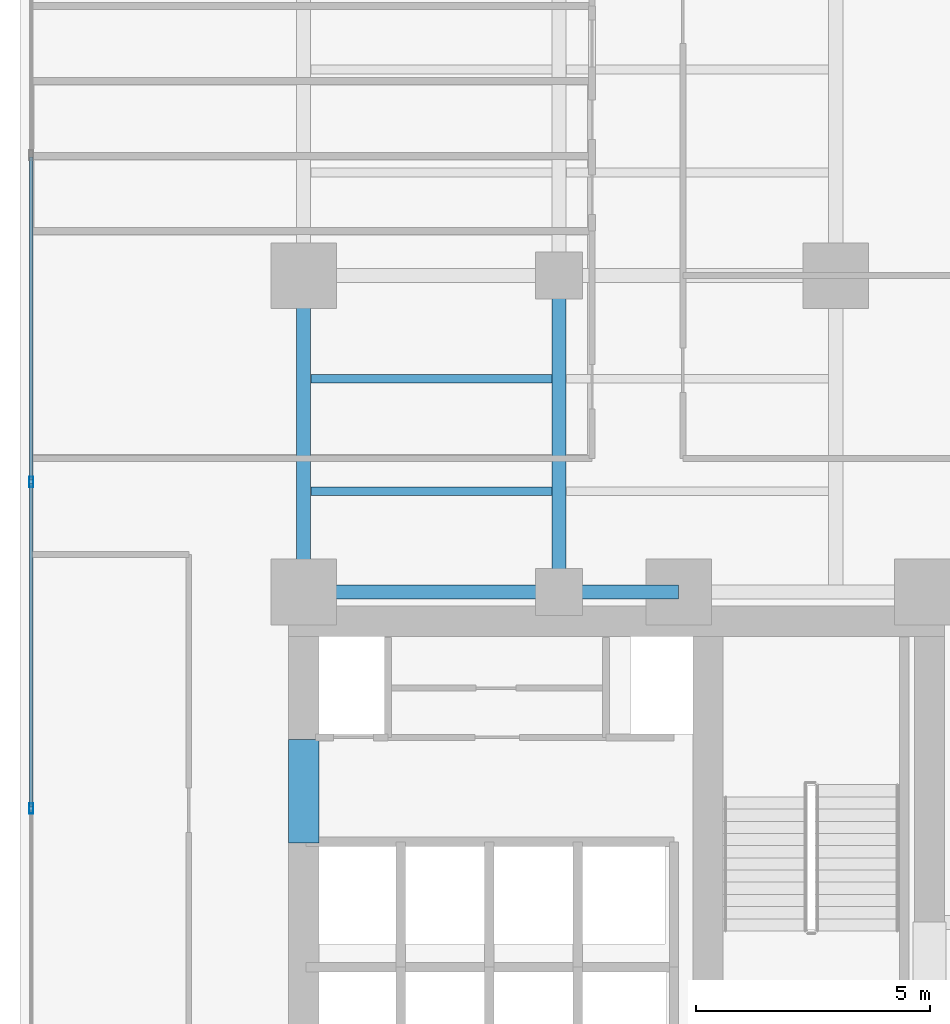
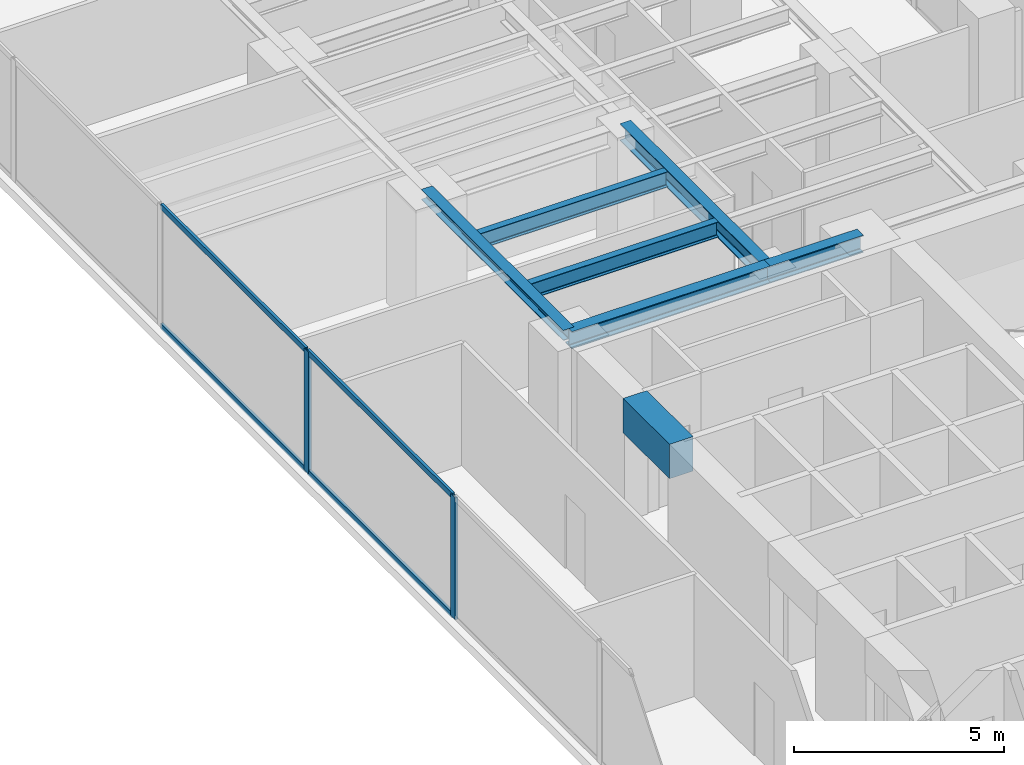
# One storey, part 6 of 26: 7 beams, 6 members, 1 element without a shape of its own.
"""IFC4 building model written with IfcOpenShell, lengths in metres."""

from ifc_helpers import new_model, si_unit, direction, frame, origin, origin_with_axes, origin_2d, place, context, subcontext, project, spatial, rectangle, hollow_rectangle, i_section, extrude, source, transform, mapped, material, layer, layer_set, material_profile, profile_set, type_object, element, aggregate, save


model = new_model("IFC4")

# Units and contexts
model_context = context("Model", 3, precision=1e-05, world=origin(), true_north=direction((0.0, 1.0)))
body_context = subcontext(model_context, "Body", "Model", "MODEL_VIEW")
ifc_project = project(units=[si_unit("LENGTHUNIT", "METRE"), si_unit("AREAUNIT", "SQUARE_METRE"), si_unit("VOLUMEUNIT", "CUBIC_METRE"), si_unit("PLANEANGLEUNIT", "RADIAN"), si_unit("MASSUNIT", "GRAM", prefix="KILO")], contexts=[model_context])

# Site, building, storey
site_placement = place(None, origin())
site = spatial("IfcSite", under=ifc_project, at=site_placement, CompositionType="ELEMENT")
building_placement = place(site_placement, origin())
building = spatial("IfcBuilding", under=site, at=building_placement, Name="Kolvaren Waterfront Exchange", CompositionType="ELEMENT")
storey_placement = place(building_placement, frame((0.0, 0.0, 87.89990234375)))
storey = spatial("IfcBuildingStorey", under=building, at=storey_placement, Name="L22", CompositionType="ELEMENT", Elevation=87.89990234375)

# Beams
ifc_material_1 = material(Name="Steel S355", Category="steel")
ifc_material_profile_1 = material_profile(ifc_material_1, i_section(OverallWidth=0.300048828125, OverallDepth=0.300048828125, WebThickness=0.010986328125, FlangeThickness=0.01904296875, FilletRadius=0.027099609375, at=origin_2d()), Name="HEB300")
ifc_profile_set_1 = profile_set([ifc_material_profile_1], Name="Steel S355")
beam_type_1 = type_object("IfcBeamType", Name="STR-BM-HEB300", PredefinedType="SPANDREL", material=ifc_profile_set_1)
beam_1_placement = place(storey_placement, frame((7.449951171875, 24.449951171875, 3.39013671875), z_axis=(0.0, 1.0, 0.0), x_axis=(-1.0, 0.0, 0.0)))
element("IfcBeam", 1, at=beam_1_placement, inside=storey, type_object=beam_type_1, Name="L22 north-arm edge beam 1", PredefinedType="SPANDREL", context=body_context, shape_type="SweptSolid", body=[
    extrude(i_section(OverallWidth=0.300048828125, OverallDepth=0.300048828125, WebThickness=0.010986328125, FlangeThickness=0.01904296875, FilletRadius=0.027099609375, at=origin_2d()), origin(), (0.0, 0.0, 1.0), 6.75),
])
ifc_material_profile_2 = material_profile(ifc_material_1, i_section(OverallWidth=0.300048828125, OverallDepth=0.5, WebThickness=0.014404296875, FlangeThickness=0.028076171875, FilletRadius=0.027099609375, at=origin_2d()), Name="HEB500")
ifc_profile_set_2 = profile_set([ifc_material_profile_2], Name="Steel S355")
beam_type_2 = type_object("IfcBeamType", Name="STR-BM-HEB500", PredefinedType="BEAM", material=ifc_profile_set_2)
beam_2_placement = place(storey_placement, frame((7.449951171875, 24.449951171875, 3.2900390625), z_axis=(1.0, 0.0, 0.0), x_axis=(0.0, 1.0, 0.0)))
element("IfcBeam", 2, at=beam_2_placement, inside=storey, type_object=beam_type_2, Name="L22 north-arm girder 1A", PredefinedType="BEAM", context=body_context, shape_type="SweptSolid", body=[
    extrude(i_section(OverallWidth=0.300048828125, OverallDepth=0.5, WebThickness=0.014404296875, FlangeThickness=0.028076171875, FilletRadius=0.027099609375, at=origin_2d()), origin(), (0.0, 0.0, 1.0), 5.449951171875),
])
beam_3_placement = place(storey_placement, frame((12.89990234375, 24.449951171875, 3.2900390625), z_axis=(1.0, 0.0, 0.0), x_axis=(0.0, 1.0, 0.0)))
element("IfcBeam", 3, at=beam_3_placement, inside=storey, type_object=beam_type_2, Name="L22 north-arm girder 1B", PredefinedType="BEAM", context=body_context, shape_type="SweptSolid", body=[
    extrude(i_section(OverallWidth=0.300048828125, OverallDepth=0.5, WebThickness=0.014404296875, FlangeThickness=0.028076171875, FilletRadius=0.027099609375, at=origin_2d()), origin(), (0.0, 0.0, 1.0), 2.550048828125),
])
beam_4_placement = place(storey_placement, frame((12.89990234375, 24.449951171875, 3.2900390625), z_axis=(0.0, 1.0, 0.0), x_axis=(-1.0, 0.0, 0.0)))
element("IfcBeam", 4, at=beam_4_placement, inside=storey, type_object=beam_type_2, Name="L22 north-arm edge beam 1", PredefinedType="BEAM", context=body_context, shape_type="SweptSolid", body=[
    extrude(i_section(OverallWidth=0.300048828125, OverallDepth=0.5, WebThickness=0.014404296875, FlangeThickness=0.028076171875, FilletRadius=0.027099609375, at=origin_2d()), origin(), (0.0, 0.0, 1.0), 6.75),
])
ifc_material_profile_3 = material_profile(ifc_material_1, i_section(OverallWidth=0.18994140625, OverallDepth=0.449951171875, WebThickness=0.009521484375, FlangeThickness=0.0146484375, FilletRadius=0.02099609375, at=origin_2d()), Name="IPE450")
ifc_profile_set_3 = profile_set([ifc_material_profile_3], Name="Steel S355")
beam_type_3 = type_object("IfcBeamType", Name="STR-BM-IPE450", PredefinedType="JOIST", material=ifc_profile_set_3)
for number, where, z_axis, x_axis, name in (
    (5, (7.60205078125, 26.60009765625, 3.315185546875), (1.0, 0.0, 0.0), (0.0, 1.0, 0.0), "L22 north-arm composite joist 1A"),
    (6, (7.60205078125, 29.0, 3.315185546875), (1.0, 0.0, 0.0), (0.0, 1.0, 0.0), "L22 north-arm composite joist 2A"),
):
    element("IfcBeam", number, at=place(storey_placement, frame(where, z_axis=z_axis, x_axis=x_axis)), inside=storey, type_object=beam_type_3, Name=name, PredefinedType="JOIST", context=body_context, shape_type="SweptSolid", body=[
        extrude(i_section(OverallWidth=0.18994140625, OverallDepth=0.449951171875, WebThickness=0.009521484375, FlangeThickness=0.0146484375, FilletRadius=0.02099609375, at=origin_2d()), origin(), (0.0, 0.0, 1.0), 5.14599609375),
    ])
ifc_material_2 = material(Name="Concrete C60/75", Category="concrete")
ifc_material_profile_4 = material_profile(ifc_material_2, rectangle(XDim=0.64990234375, YDim=1.0, at=origin_2d()), Name="RC-CB-1000x650")
ifc_profile_set_4 = profile_set([ifc_material_profile_4], Name="Concrete C60/75")
beam_type_4 = type_object("IfcBeamType", Name="STR-CB-1000", PredefinedType="SPANDREL", material=ifc_profile_set_4)
beam_5_placement = place(storey_placement, frame((7.449951171875, 19.10009765625, 3.0400390625), z_axis=(0.0, 1.0, 0.0), x_axis=(-1.0, 0.0, 0.0)))
element("IfcBeam", 7, at=beam_5_placement, inside=storey, type_object=beam_type_4, Name="L22 core coupling beam 5", PredefinedType="SPANDREL", context=body_context, shape_type="SweptSolid", body=[
    extrude(rectangle(XDim=0.64990234375, YDim=1.0, at=origin_2d()), origin(), (0.0, 0.0, 1.0), 2.199951171875),
])

# Curtain wall, members
ifc_material_3 = material(Name="Anodised aluminium 6063-T6", Category="aluminium")
ifc_layer = layer(ifc_material_3, 0.219970703125, Name="Anodised aluminium 6063-T6")
ifc_layer_set = layer_set([ifc_layer], Name="Anodised aluminium 6063-T6")
curtain_wall_type = type_object("IfcCurtainWallType", Name="ARC-CW-SYS2", PredefinedType="USERDEFINED", material=ifc_layer_set)
curtain_wall_placement = place(storey_placement, origin())
curtain_wall = element("IfcCurtainWall", 8, at=curtain_wall_placement, inside=storey, type_object=curtain_wall_type, Name="L22 stick curtain wall CW2 (CW-L22-W)", ObjectType="STICK CURTAIN WALL", PredefinedType="USERDEFINED")
ifc_material_profile_5 = material_profile(ifc_material_3, hollow_rectangle(XDim=0.080078125, YDim=0.219970703125, WallThickness=0.0048828125, at=origin_2d()), Name="ALU-MUL-220x80x5")
ifc_profile_set_5 = profile_set([ifc_material_profile_5], Name="Anodised aluminium 6063-T6")
member_type_1 = type_object("IfcMemberType", Name="ARC-CWM-220", PredefinedType="MULLION", material=ifc_profile_set_5)
shared_shape_1 = source(origin_with_axes(), body_context, "Body", "SweptSolid", [
    extrude(hollow_rectangle(XDim=0.080078125, YDim=0.219970703125, WallThickness=0.0048828125, at=origin_2d()), origin(), (0.0, 0.0, 1.0), 3.5400390625),
])
member_1_placement = place(storey_placement, frame((1.639892578125, 19.833251953125, 0.0), z_axis=(0.0, 0.0, 1.0), x_axis=(-1.0, 0.0, 0.0)))
member_1 = element("IfcMember", 9, at=member_1_placement, type_object=member_type_1, Name="CW2 mullion 3", PredefinedType="MULLION", context=body_context, shape_type="MappedRepresentation", body=[
    mapped(shared_shape_1, transform((0.0, 0.0, 0.0), x_axis=(1.0, 0.0, 0.0), y_axis=(0.0, 1.0, 0.0), z_axis=(0.0, 0.0, 1.0), scale=1.0)),
])
member_2_placement = place(storey_placement, frame((1.639892578125, 26.800048828125, 0.0), z_axis=(0.0, 0.0, 1.0), x_axis=(-1.0, 0.0, 0.0)))
member_2 = element("IfcMember", 10, at=member_2_placement, type_object=member_type_1, Name="CW2 mullion 4", PredefinedType="MULLION", context=body_context, shape_type="MappedRepresentation", body=[
    mapped(shared_shape_1, transform((0.0, 0.0, 0.0), x_axis=(1.0, 0.0, 0.0), y_axis=(0.0, 1.0, 0.0), z_axis=(0.0, 0.0, 1.0), scale=1.0)),
])
ifc_material_profile_6 = material_profile(ifc_material_3, hollow_rectangle(XDim=0.074951171875, YDim=0.159912109375, WallThickness=0.00439453125, at=origin_2d()), Name="ALU-TRN-160x75x4.5")
ifc_profile_set_6 = profile_set([ifc_material_profile_6], Name="Anodised aluminium 6063-T6")
member_type_2 = type_object("IfcMemberType", Name="ARC-CWT-160", PredefinedType="USERDEFINED", material=ifc_profile_set_6)
shared_shape_2 = source(origin_with_axes(), body_context, "Body", "SweptSolid", [
    extrude(hollow_rectangle(XDim=0.074951171875, YDim=0.159912109375, WallThickness=0.00439453125, at=origin_2d()), origin(), (0.0, 0.0, 1.0), 6.886474609375),
])
member_3_placement = place(storey_placement, frame((1.639892578125, 26.840087890625, 0.03759765625), z_axis=(0.0, 1.0, 0.0), x_axis=(-1.0, 0.0, 0.0)))
member_3 = element("IfcMember", 11, at=member_3_placement, type_object=member_type_2, Name="CW2 transom 4.1", ObjectType="TRANSOM", PredefinedType="USERDEFINED", context=body_context, shape_type="MappedRepresentation", body=[
    mapped(shared_shape_2, transform((0.0, 0.0, 0.0), x_axis=(1.0, 0.0, 0.0), y_axis=(0.0, 1.0, 0.0), z_axis=(0.0, 0.0, 1.0), scale=1.0)),
])
member_4_placement = place(storey_placement, frame((1.639892578125, 26.840087890625, 3.502685546875), z_axis=(0.0, 1.0, 0.0), x_axis=(-1.0, 0.0, 0.0)))
member_4 = element("IfcMember", 12, at=member_4_placement, type_object=member_type_2, Name="CW2 transom 4.2", ObjectType="TRANSOM", PredefinedType="USERDEFINED", context=body_context, shape_type="MappedRepresentation", body=[
    mapped(shared_shape_2, transform((0.0, 0.0, 0.0), x_axis=(1.0, 0.0, 0.0), y_axis=(0.0, 1.0, 0.0), z_axis=(0.0, 0.0, 1.0), scale=1.0)),
])
shared_shape_3 = source(origin_with_axes(), body_context, "Body", "SweptSolid", [
    extrude(hollow_rectangle(XDim=0.074951171875, YDim=0.159912109375, WallThickness=0.00439453125, at=origin_2d()), origin(), (0.0, 0.0, 1.0), 6.88671875),
])
member_5_placement = place(storey_placement, frame((1.639892578125, 19.873291015625, 0.03759765625), z_axis=(0.0, 1.0, 0.0), x_axis=(-1.0, 0.0, 0.0)))
member_5 = element("IfcMember", 13, at=member_5_placement, type_object=member_type_2, Name="CW2 transom 3.1", ObjectType="TRANSOM", PredefinedType="USERDEFINED", context=body_context, shape_type="MappedRepresentation", body=[
    mapped(shared_shape_3, transform((0.0, 0.0, 0.0), x_axis=(1.0, 0.0, 0.0), y_axis=(0.0, 1.0, 0.0), z_axis=(0.0, 0.0, 1.0), scale=1.0)),
])
member_6_placement = place(storey_placement, frame((1.639892578125, 19.873291015625, 3.502685546875), z_axis=(0.0, 1.0, 0.0), x_axis=(-1.0, 0.0, 0.0)))
member_6 = element("IfcMember", 14, at=member_6_placement, type_object=member_type_2, Name="CW2 transom 3.2", ObjectType="TRANSOM", PredefinedType="USERDEFINED", context=body_context, shape_type="MappedRepresentation", body=[
    mapped(shared_shape_3, transform((0.0, 0.0, 0.0), x_axis=(1.0, 0.0, 0.0), y_axis=(0.0, 1.0, 0.0), z_axis=(0.0, 0.0, 1.0), scale=1.0)),
])
aggregate(curtain_wall, [member_1, member_2, member_5, member_6, member_3, member_4])

save(model, "model.ifc")
